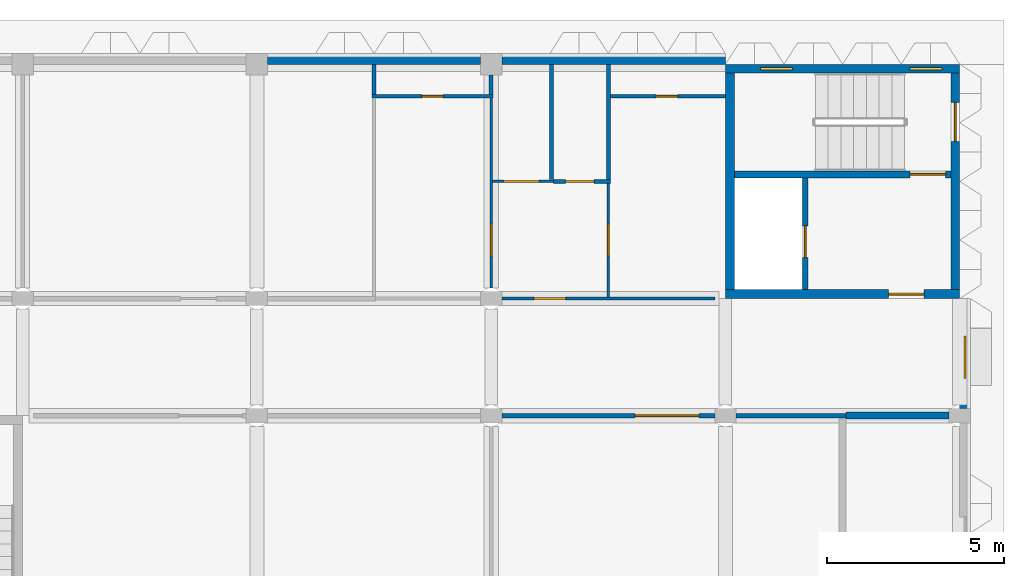
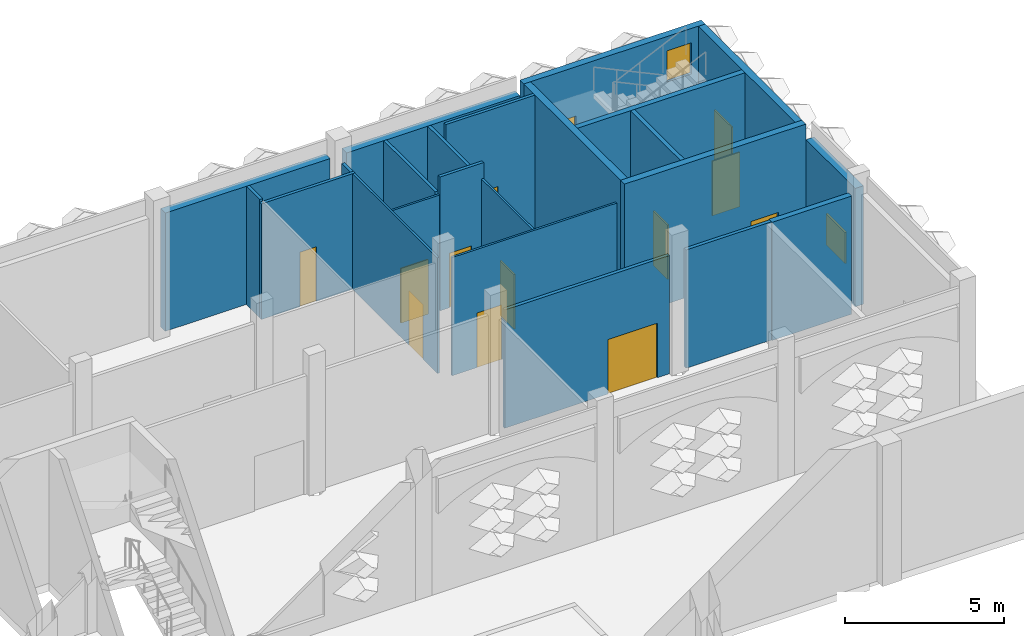
# One storey, part 41 of 85: 23 walls, 12 doors, 3 windows, 15 openings.
"""IFC4 building model written with IfcOpenShell, lengths in metres."""

from ifc_helpers import new_model, si_unit, direction, frame, frame_2d, origin, place, context, subcontext, project, spatial, rectangle, extrude, material, layer, layer_set, type_object, element, fill, save


model = new_model("IFC4")

# Units and contexts
model_context = context("Model", 3, precision=1e-05, world=origin(), true_north=direction((0.0, 1.0)))
body_context = subcontext(model_context, "Body", "Model", "MODEL_VIEW")
ifc_project = project(units=[si_unit("LENGTHUNIT", "METRE"), si_unit("AREAUNIT", "SQUARE_METRE"), si_unit("VOLUMEUNIT", "CUBIC_METRE"), si_unit("PLANEANGLEUNIT", "RADIAN"), si_unit("MASSUNIT", "GRAM", prefix="KILO")], contexts=[model_context])

# Site, building, storey
site_placement = place(None, origin())
site = spatial("IfcSite", under=ifc_project, at=site_placement, CompositionType="ELEMENT")
building_placement = place(site_placement, origin())
building = spatial("IfcBuilding", under=site, at=building_placement, Name="Lantern Court Research Institute", CompositionType="ELEMENT")
storey_placement = place(building_placement, origin())
storey = spatial("IfcBuildingStorey", under=building, at=storey_placement, Name="L00", CompositionType="ELEMENT", Elevation=0.0)

# Wall, opening, window
ifc_material_1 = material(Name="Concrete C30/37", Category="concrete")
ifc_layer_1 = layer(ifc_material_1, 0.300048828125)
ifc_layer_set_1 = layer_set([ifc_layer_1], Name="Concrete C30/37")
wall_type_1 = type_object("IfcWallType", Name="Insulated concrete infill wall 300", PredefinedType="STANDARD", material=ifc_layer_set_1)
wall_1_placement = place(storey_placement, frame((79.35009765625, 92.39990234375, 0.0), z_axis=(0.0, 0.0, 1.0), x_axis=(0.0, -1.0, 0.0)))
wall_1 = element("IfcWall", 1, at=wall_1_placement, inside=storey, type_object=wall_type_1, Name="Exterior wall EW050", PredefinedType="STANDARD", context=body_context, shape_type="SweptSolid", body=[
    extrude(rectangle(XDim=3.099853515625, YDim=0.300048828125, at=frame_2d((1.5498046875, 0.0))), origin(), (0.0, 0.0, 1.0), 4.550048828125),
])
opening_1_placement = place(wall_1_placement, frame((1.050048828125, 0.0, 1.10009765625)))
opening_1 = element("IfcOpeningElement", 2, at=opening_1_placement, cuts=wall_1, Name="Opening W05", PredefinedType="OPENING", context=body_context, shape_type="SweptSolid", body=[
    extrude(rectangle(XDim=1.199951171875, YDim=1.199951171875, at=frame_2d((0.60009765625, 0.60009765625))), frame((0.0, 0.159912109375, 0.0), z_axis=(0.0, -1.0, 0.0), x_axis=(1.0, 0.0, 0.0)), (0.0, 0.0, 1.0), 0.320068359375),
])
ifc_material_2 = material(Name="Aluminium frame with laminated low-emissivity glazing", Category="aluminium")
window_type_1 = type_object("IfcWindowType", Name="Corridor end window 1200 x 1200", PartitioningType="SINGLE_PANEL", PredefinedType="WINDOW", material=ifc_material_2)
window_1_placement = place(opening_1_placement, origin())
window_1 = element("IfcWindow", 3, at=window_1_placement, inside=storey, type_object=window_type_1, Name="Window W05 V6E L00", OverallHeight=1.199951171875, OverallWidth=1.199951171875, PartitioningType="SINGLE_PANEL", PredefinedType="WINDOW", context=body_context, shape_type="SweptSolid", body=[
    extrude(rectangle(XDim=1.199951171875, YDim=1.199951171875, at=frame_2d((0.60009765625, 0.60009765625))), frame((0.0, 0.030029296875, 0.0), z_axis=(0.0, -1.0, 0.0), x_axis=(1.0, 0.0, 0.0)), (0.0, 0.0, 1.0), 0.06005859375),
])
fill(opening_1, window_1)

# Walls
ifc_material_3 = material(Name="Fire-rated blockwork", Category="masonry")
ifc_layer_2 = layer(ifc_material_3, 0.199951171875)
ifc_layer_set_2 = layer_set([ifc_layer_2], Name="Fire-rated blockwork")
wall_type_2 = type_object("IfcWallType", Name="Party wall 200 mm EI 120", PredefinedType="PARTITIONING", material=ifc_layer_set_2)
wall_2_placement = place(storey_placement, frame((76.0, 89.10009765625, 0.0), z_axis=(0.0, 0.0, 1.0), x_axis=(1.0, 0.0, 0.0)))
element("IfcWall", 4, at=wall_2_placement, inside=storey, type_object=wall_type_2, Name="Wall V6-L00-011", PredefinedType="PARTITIONING", context=body_context, shape_type="SweptSolid", body=[
    extrude(rectangle(XDim=2.89990234375, YDim=0.199951171875, at=frame_2d((1.449951171875, 0.0))), origin(), (0.0, 0.0, 1.0), 4.550048828125),
])
ifc_material_4 = material(Name="Concrete C30/37", Category="concrete")
ifc_layer_3 = layer(ifc_material_4, 0.300048828125)
ifc_layer_set_3 = layer_set([ifc_layer_3], Name="Concrete C30/37")
wall_type_3 = type_object("IfcWallType", Name="Party wall 300 concrete EI 120", PredefinedType="STANDARD", material=ifc_layer_set_3)
wall_3_placement = place(storey_placement, frame((59.699951171875, 99.14990234375, 0.0), z_axis=(0.0, 0.0, 1.0), x_axis=(1.0, 0.0, 0.0)))
element("IfcWall", 5, at=wall_3_placement, inside=storey, type_object=wall_type_3, Name="Exterior wall EW059", PredefinedType="STANDARD", context=body_context, shape_type="SweptSolid", body=[
    extrude(rectangle(XDim=6.0, YDim=0.300048828125, at=frame_2d((3.0, 0.0))), origin(), (0.0, 0.0, 1.0), 4.550048828125),
])
wall_4_placement = place(storey_placement, frame((66.300048828125, 99.14990234375, 0.0), z_axis=(0.0, 0.0, 1.0), x_axis=(1.0, 0.0, 0.0)))
element("IfcWall", 6, at=wall_4_placement, inside=storey, type_object=wall_type_3, Name="Exterior wall EW060", PredefinedType="STANDARD", context=body_context, shape_type="SweptSolid", body=[
    extrude(rectangle(XDim=6.300048828125, YDim=0.300048828125, at=frame_2d((3.14990234375, 0.0))), origin(), (0.0, 0.0, 1.0), 4.550048828125),
])

# Wall, opening, door
ifc_material_5 = material(Name="Gypsum board on metal studs")
ifc_layer_4 = layer(ifc_material_5, 0.125)
ifc_layer_set_4 = layer_set([ifc_layer_4], Name="Gypsum board on metal studs")
wall_type_4 = type_object("IfcWallType", Name="Protected corridor partition 125 mm EI 30", PredefinedType="PARTITIONING", material=ifc_layer_set_4)
wall_5_placement = place(storey_placement, frame((66.300048828125, 89.10009765625, 0.0), z_axis=(0.0, 0.0, 1.0), x_axis=(1.0, 0.0, 0.0)))
wall_5 = element("IfcWall", 7, at=wall_5_placement, inside=storey, type_object=wall_type_4, Name="Wall V6-L00-009", PredefinedType="PARTITIONING", context=body_context, shape_type="SweptSolid", body=[
    extrude(rectangle(XDim=6.0, YDim=0.125, at=frame_2d((3.0, 0.0))), origin(), (0.0, 0.0, 1.0), 4.550048828125),
])
opening_2_placement = place(wall_5_placement, frame((3.75, 0.0, 0.0)))
opening_2 = element("IfcOpeningElement", 8, at=opening_2_placement, cuts=wall_5, Name="Opening D6006", PredefinedType="OPENING", context=body_context, shape_type="SweptSolid", body=[
    extrude(rectangle(XDim=1.800048828125, YDim=2.10009765625, at=frame_2d((0.89990234375, 1.050048828125))), frame((0.0, 0.072509765625, 0.0), z_axis=(0.0, -1.0, 0.0), x_axis=(1.0, 0.0, 0.0)), (0.0, 0.0, 1.0), 0.14501953125),
])
ifc_material_6 = material(Name="Timber veneered door leaf", Category="wood")
door_type_1 = type_object("IfcDoorType", Name="Door 1800 x 2100 reception pair FD30S", OperationType="DOUBLE_DOOR_SINGLE_SWING", PredefinedType="DOOR", material=ifc_material_6)
door_1_placement = place(opening_2_placement, origin())
door_1 = element("IfcDoor", 9, at=door_1_placement, inside=storey, type_object=door_type_1, Name="Door D6006", OperationType="DOUBLE_DOOR_SINGLE_SWING", OverallHeight=2.10009765625, OverallWidth=1.800048828125, PredefinedType="DOOR", context=body_context, shape_type="SweptSolid", body=[
    extrude(rectangle(XDim=1.800048828125, YDim=2.10009765625, at=frame_2d((0.89990234375, 1.050048828125))), frame((0.0, 0.02490234375, 0.0), z_axis=(0.0, -1.0, 0.0), x_axis=(1.0, 0.0, 0.0)), (0.0, 0.0, 1.0), 0.050048828125),
])
fill(opening_2, door_1)

# Wall
wall_6_placement = place(storey_placement, frame((72.89990234375, 89.10009765625, 0.0), z_axis=(0.0, 0.0, 1.0), x_axis=(1.0, 0.0, 0.0)))
element("IfcWall", 10, at=wall_6_placement, inside=storey, type_object=wall_type_4, Name="Wall V6-L00-010", PredefinedType="PARTITIONING", context=body_context, shape_type="SweptSolid", body=[
    extrude(rectangle(XDim=3.10009765625, YDim=0.125, at=frame_2d((1.550048828125, 0.0))), origin(), (0.0, 0.0, 1.0), 4.550048828125),
])

# Wall, opening, door
ifc_material_7 = material(Name="Concrete C40/50", Category="concrete")
ifc_layer_5 = layer(ifc_material_7, 0.25)
ifc_layer_set_5 = layer_set([ifc_layer_5], Name="Concrete C40/50")
wall_type_5 = type_object("IfcWallType", Name="RC core wall 250", PredefinedType="SHEAR", material=ifc_layer_set_5)
wall_7_placement = place(storey_placement, frame((72.60009765625, 92.52490234375, 0.0), z_axis=(0.0, 0.0, 1.0), x_axis=(1.0, 0.0, 0.0)))
wall_7 = element("IfcWall", 11, at=wall_7_placement, inside=storey, type_object=wall_type_5, Name="South wall of core WC-E", PredefinedType="SHEAR", context=body_context, shape_type="SweptSolid", body=[
    extrude(rectangle(XDim=6.599853515625, YDim=0.25, at=frame_2d((3.2998046875, 0.0))), origin(), (0.0, 0.0, 1.0), 5.14990234375),
])
opening_3_placement = place(wall_7_placement, frame((4.60009765625, 0.0, 0.0)))
opening_3 = element("IfcOpeningElement", 12, at=opening_3_placement, cuts=wall_7, Name="Opening D7258", PredefinedType="OPENING", context=body_context, shape_type="SweptSolid", body=[
    extrude(rectangle(XDim=1.0, YDim=2.10009765625, at=frame_2d((0.5, 1.050048828125))), frame((0.0, 0.135009765625, 0.0), z_axis=(0.0, -1.0, 0.0), x_axis=(1.0, 0.0, 0.0)), (0.0, 0.0, 1.0), 0.27001953125),
])
ifc_material_8 = material(Name="Steel fire door leaf with smoke seals", Category="steel")
door_type_2 = type_object("IfcDoorType", Name="Door 1000 x 2100 fire rated FD60S", OperationType="NOTDEFINED", PredefinedType="DOOR", material=ifc_material_8)
door_2_placement = place(opening_3_placement, origin())
door_2 = element("IfcDoor", 13, at=door_2_placement, inside=storey, type_object=door_type_2, Name="Lobby door", OperationType="SINGLE_SWING_LEFT", OverallHeight=2.10009765625, OverallWidth=1.0, PredefinedType="DOOR", context=body_context, shape_type="SweptSolid", body=[
    extrude(rectangle(XDim=1.0, YDim=2.10009765625, at=frame_2d((0.5, 1.050048828125))), frame((0.0, 0.02490234375, 0.0), z_axis=(0.0, -1.0, 0.0), x_axis=(1.0, 0.0, 0.0)), (0.0, 0.0, 1.0), 0.050048828125),
])
fill(opening_3, door_2)

# Wall
wall_8_placement = place(storey_placement, frame((72.72509765625, 92.64990234375, 0.0), z_axis=(0.0, 0.0, 1.0), x_axis=(0.0, 1.0, 0.0)))
element("IfcWall", 14, at=wall_8_placement, inside=storey, type_object=wall_type_5, Name="West wall of core WC-E", PredefinedType="SHEAR", context=body_context, shape_type="SweptSolid", body=[
    extrude(rectangle(XDim=6.10009765625, YDim=0.25, at=frame_2d((3.050048828125, 0.0))), origin(), (0.0, 0.0, 1.0), 5.14990234375),
])

# Wall, openings, windows
ifc_material_9 = material(Name="Concrete C40/50", Category="concrete")
ifc_layer_6 = layer(ifc_material_9, 0.25)
ifc_layer_set_6 = layer_set([ifc_layer_6], Name="Concrete C40/50")
wall_type_6 = type_object("IfcWallType", Name="RC core wall 250 facade", PredefinedType="SHEAR", material=ifc_layer_set_6)
wall_9_placement = place(storey_placement, frame((72.60009765625, 98.875, 0.0), z_axis=(0.0, 0.0, 1.0), x_axis=(1.0, 0.0, 0.0)))
wall_9 = element("IfcWall", 15, at=wall_9_placement, inside=storey, type_object=wall_type_6, Name="North wall of core WC-E", PredefinedType="SHEAR", context=body_context, shape_type="SweptSolid", body=[
    extrude(rectangle(XDim=6.599853515625, YDim=0.25, at=frame_2d((3.2998046875, 0.0))), origin(), (0.0, 0.0, 1.0), 5.14990234375),
])
opening_4_placement = place(wall_9_placement, frame((0.989990234375, 0.0, 2.050048828125)))
opening_4 = element("IfcOpeningElement", 16, at=opening_4_placement, cuts=wall_9, Name="Opening W6", PredefinedType="OPENING", context=body_context, shape_type="SweptSolid", body=[
    extrude(rectangle(XDim=0.89990234375, YDim=1.199951171875, at=frame_2d((0.449951171875, 0.60009765625))), frame((0.0, 0.135009765625, 0.0), z_axis=(0.0, -1.0, 0.0), x_axis=(1.0, 0.0, 0.0)), (0.0, 0.0, 1.0), 0.27001953125),
])
opening_5_placement = place(wall_9_placement, frame((5.199951171875, 0.0, 3.39990234375)))
opening_5 = element("IfcOpeningElement", 17, at=opening_5_placement, cuts=wall_9, Name="Opening W6", PredefinedType="OPENING", context=body_context, shape_type="SweptSolid", body=[
    extrude(rectangle(XDim=0.89990234375, YDim=1.199951171875, at=frame_2d((0.449951171875, 0.60009765625))), frame((0.0, 0.135009765625, 0.0), z_axis=(0.0, -1.0, 0.0), x_axis=(1.0, 0.0, 0.0)), (0.0, 0.0, 1.0), 0.27001953125),
])
ifc_material_10 = material(Name="Aluminium alloy 6063-T6 frame with laminated glass", Category="aluminium")
window_type_2 = type_object("IfcWindowType", Name="Stair window 900 x 1200", PartitioningType="SINGLE_PANEL", PredefinedType="WINDOW", material=ifc_material_10)
window_2_placement = place(opening_4_placement, origin())
window_2 = element("IfcWindow", 18, at=window_2_placement, inside=storey, type_object=window_type_2, Name="Stair window", OverallHeight=1.199951171875, OverallWidth=0.89990234375, PartitioningType="SINGLE_PANEL", PredefinedType="WINDOW", context=body_context, shape_type="SweptSolid", body=[
    extrude(rectangle(XDim=0.89990234375, YDim=1.199951171875, at=frame_2d((0.449951171875, 0.60009765625))), frame((0.0, 0.030029296875, 0.0), z_axis=(0.0, -1.0, 0.0), x_axis=(1.0, 0.0, 0.0)), (0.0, 0.0, 1.0), 0.06005859375),
])
fill(opening_4, window_2)
window_3_placement = place(opening_5_placement, origin())
window_3 = element("IfcWindow", 19, at=window_3_placement, inside=storey, type_object=window_type_2, Name="Stair window", OverallHeight=1.199951171875, OverallWidth=0.89990234375, PartitioningType="SINGLE_PANEL", PredefinedType="WINDOW", context=body_context, shape_type="SweptSolid", body=[
    extrude(rectangle(XDim=0.89990234375, YDim=1.199951171875, at=frame_2d((0.449951171875, 0.60009765625))), frame((0.0, 0.030029296875, 0.0), z_axis=(0.0, -1.0, 0.0), x_axis=(1.0, 0.0, 0.0)), (0.0, 0.0, 1.0), 0.06005859375),
])
fill(opening_5, window_3)

# Wall, opening, door
wall_10_placement = place(storey_placement, frame((79.074951171875, 92.64990234375, 0.0), z_axis=(0.0, 0.0, 1.0), x_axis=(0.0, 1.0, 0.0)))
wall_10 = element("IfcWall", 20, at=wall_10_placement, inside=storey, type_object=wall_type_6, Name="East wall of core WC-E", PredefinedType="SHEAR", context=body_context, shape_type="SweptSolid", body=[
    extrude(rectangle(XDim=6.10009765625, YDim=0.25, at=frame_2d((3.050048828125, 0.0))), origin(), (0.0, 0.0, 1.0), 5.14990234375),
])
opening_6_placement = place(wall_10_placement, frame((4.175048828125, 0.0, 0.0)))
opening_6 = element("IfcOpeningElement", 21, at=opening_6_placement, cuts=wall_10, Name="Opening D7260", PredefinedType="OPENING", context=body_context, shape_type="SweptSolid", body=[
    extrude(rectangle(XDim=1.10009765625, YDim=2.39990234375, at=frame_2d((0.550048828125, 1.199951171875))), frame((0.0, 0.135009765625, 0.0), z_axis=(0.0, -1.0, 0.0), x_axis=(1.0, 0.0, 0.0)), (0.0, 0.0, 1.0), 0.27001953125),
])
ifc_material_11 = material(Name="Steel fire door leaf with smoke seals", Category="steel")
door_type_3 = type_object("IfcDoorType", Name="Door 1100 x 2400 fire rated FD60S", OperationType="NOTDEFINED", PredefinedType="DOOR", material=ifc_material_11)
door_3_placement = place(opening_6_placement, origin())
door_3 = element("IfcDoor", 22, at=door_3_placement, inside=storey, type_object=door_type_3, Name="Stair exit door", OperationType="SINGLE_SWING_LEFT", OverallHeight=2.39990234375, OverallWidth=1.10009765625, PredefinedType="DOOR", context=body_context, shape_type="SweptSolid", body=[
    extrude(rectangle(XDim=1.10009765625, YDim=2.39990234375, at=frame_2d((0.550048828125, 1.199951171875))), frame((0.0, 0.02490234375, 0.0), z_axis=(0.0, -1.0, 0.0), x_axis=(1.0, 0.0, 0.0)), (0.0, 0.0, 1.0), 0.050048828125),
])
fill(opening_6, door_3)

ifc_material_12 = material(Name="Concrete C40/50", Category="concrete")
ifc_layer_7 = layer(ifc_material_12, 0.14990234375)
ifc_layer_set_7 = layer_set([ifc_layer_7], Name="Concrete C40/50")
wall_type_7 = type_object("IfcWallType", Name="RC shaft wall 150", PredefinedType="SHEAR", material=ifc_layer_set_7)
wall_11_placement = place(storey_placement, frame((74.85009765625, 92.64990234375, 0.0), z_axis=(0.0, 0.0, 1.0), x_axis=(0.0, 1.0, 0.0)))
wall_11 = element("IfcWall", 23, at=wall_11_placement, inside=storey, type_object=wall_type_7, Name="Riser wall of core WC-E", PredefinedType="SHEAR", context=body_context, shape_type="SweptSolid", body=[
    extrude(rectangle(XDim=3.150146484375, YDim=0.14990234375, at=frame_2d((1.5751953125, 0.0))), origin(), (0.0, 0.0, 1.0), 5.14990234375),
])
opening_7_placement = place(wall_11_placement, frame((0.89990234375, 0.0, 0.0)))
opening_7 = element("IfcOpeningElement", 24, at=opening_7_placement, cuts=wall_11, Name="Opening D7257", PredefinedType="OPENING", context=body_context, shape_type="SweptSolid", body=[
    extrude(rectangle(XDim=0.89990234375, YDim=2.10009765625, at=frame_2d((0.449951171875, 1.050048828125))), frame((0.0, 0.0849609375, 0.0), z_axis=(0.0, -1.0, 0.0), x_axis=(1.0, 0.0, 0.0)), (0.0, 0.0, 1.0), 0.169921875),
])
ifc_material_13 = material(Name="Steel fire door leaf", Category="steel")
door_type_4 = type_object("IfcDoorType", Name="Door 900 x 2100 fire rated FD60", OperationType="NOTDEFINED", PredefinedType="DOOR", material=ifc_material_13)
door_4_placement = place(opening_7_placement, origin())
door_4 = element("IfcDoor", 25, at=door_4_placement, inside=storey, type_object=door_type_4, Name="Riser door", OperationType="SINGLE_SWING_LEFT", OverallHeight=2.10009765625, OverallWidth=0.89990234375, PredefinedType="DOOR", context=body_context, shape_type="SweptSolid", body=[
    extrude(rectangle(XDim=0.89990234375, YDim=2.10009765625, at=frame_2d((0.449951171875, 1.050048828125))), frame((0.0, 0.02490234375, 0.0), z_axis=(0.0, -1.0, 0.0), x_axis=(1.0, 0.0, 0.0)), (0.0, 0.0, 1.0), 0.050048828125),
])
fill(opening_7, door_4)

ifc_material_14 = material(Name="Concrete C40/50", Category="concrete")
ifc_layer_8 = layer(ifc_material_14, 0.199951171875)
ifc_layer_set_8 = layer_set([ifc_layer_8], Name="Concrete C40/50")
wall_type_8 = type_object("IfcWallType", Name="RC shaft wall 200", PredefinedType="SHEAR", material=ifc_layer_set_8)
wall_12_placement = place(storey_placement, frame((72.85009765625, 95.89990234375, 0.0), z_axis=(0.0, 0.0, 1.0), x_axis=(1.0, 0.0, 0.0)))
wall_12 = element("IfcWall", 26, at=wall_12_placement, inside=storey, type_object=wall_type_8, Name="Stair wall of core WC-E", PredefinedType="SHEAR", context=body_context, shape_type="SweptSolid", body=[
    extrude(rectangle(XDim=6.099853515625, YDim=0.199951171875, at=frame_2d((3.0498046875, 0.0))), origin(), (0.0, 0.0, 1.0), 5.14990234375),
])
opening_8_placement = place(wall_12_placement, frame((4.949951171875, 0.0, 0.0)))
opening_8 = element("IfcOpeningElement", 27, at=opening_8_placement, cuts=wall_12, Name="Opening D7259", PredefinedType="OPENING", context=body_context, shape_type="SweptSolid", body=[
    extrude(rectangle(XDim=1.0, YDim=2.10009765625, at=frame_2d((0.5, 1.050048828125))), frame((0.0, 0.10986328125, 0.0), z_axis=(0.0, -1.0, 0.0), x_axis=(1.0, 0.0, 0.0)), (0.0, 0.0, 1.0), 0.219970703125),
])
door_5_placement = place(opening_8_placement, origin())
door_5 = element("IfcDoor", 28, at=door_5_placement, inside=storey, type_object=door_type_2, Name="Stair door", OperationType="SINGLE_SWING_LEFT", OverallHeight=2.10009765625, OverallWidth=1.0, PredefinedType="DOOR", context=body_context, shape_type="SweptSolid", body=[
    extrude(rectangle(XDim=1.0, YDim=2.10009765625, at=frame_2d((0.5, 1.050048828125))), frame((0.0, 0.02490234375, 0.0), z_axis=(0.0, -1.0, 0.0), x_axis=(1.0, 0.0, 0.0)), (0.0, 0.0, 1.0), 0.050048828125),
])
fill(opening_8, door_5)

ifc_material_15 = material(Name="Fire-rated gypsum board on metal studs")
ifc_layer_9 = layer(ifc_material_15, 0.110107421875)
ifc_layer_set_9 = layer_set([ifc_layer_9], Name="Fire-rated gypsum board on metal studs")
wall_type_9 = type_object("IfcWallType", Name="Riser wall 110 mm EI 60", PredefinedType="PARTITIONING", material=ifc_layer_set_9)
wall_13_placement = place(storey_placement, frame((67.7548828125, 95.699951171875, 0.0), z_axis=(0.0, 0.0, 1.0), x_axis=(1.0, 0.0, 0.0)))
wall_13 = element("IfcWall", 29, at=wall_13_placement, inside=storey, type_object=wall_type_9, Name="Wall V6-L00-029", PredefinedType="PARTITIONING", context=body_context, shape_type="SweptSolid", body=[
    extrude(rectangle(XDim=1.60009765625, YDim=0.110107421875, at=frame_2d((0.800048828125, 0.0))), origin(), (0.0, 0.0, 1.0), 5.14990234375),
])
opening_9_placement = place(wall_13_placement, frame((0.344970703125, 0.0, 0.0)))
opening_9 = element("IfcOpeningElement", 30, at=opening_9_placement, cuts=wall_13, Name="Opening D6016", PredefinedType="OPENING", context=body_context, shape_type="SweptSolid", body=[
    extrude(rectangle(XDim=0.800048828125, YDim=2.10009765625, at=frame_2d((0.39990234375, 1.050048828125))), frame((0.0, 0.06494140625, 0.0), z_axis=(0.0, -1.0, 0.0), x_axis=(1.0, 0.0, 0.0)), (0.0, 0.0, 1.0), 0.130126953125),
])
ifc_material_16 = material(Name="Coated metal door leaf")
door_type_5 = type_object("IfcDoorType", Name="Door 800 x 2100 cleaners store FD60", OperationType="NOTDEFINED", PredefinedType="DOOR", material=ifc_material_16)
door_6_placement = place(opening_9_placement, origin())
door_6 = element("IfcDoor", 31, at=door_6_placement, inside=storey, type_object=door_type_5, Name="Door D6016", OperationType="SINGLE_SWING_LEFT", OverallHeight=2.10009765625, OverallWidth=0.800048828125, PredefinedType="DOOR", context=body_context, shape_type="SweptSolid", body=[
    extrude(rectangle(XDim=0.800048828125, YDim=2.10009765625, at=frame_2d((0.39990234375, 1.050048828125))), frame((0.0, 0.02490234375, 0.0), z_axis=(0.0, -1.0, 0.0), x_axis=(1.0, 0.0, 0.0)), (0.0, 0.0, 1.0), 0.050048828125),
])
fill(opening_9, door_6)

wall_14_placement = place(storey_placement, frame((66.054931640625, 98.10009765625, 0.0), z_axis=(0.0, 0.0, 1.0), x_axis=(-1.0, 0.0, 0.0)))
wall_14 = element("IfcWall", 32, at=wall_14_placement, inside=storey, type_object=wall_type_9, Name="Wall V6-L00-032", PredefinedType="PARTITIONING", context=body_context, shape_type="SweptSolid", body=[
    extrude(rectangle(XDim=3.409912109375, YDim=0.110107421875, at=frame_2d((1.705078125, 0.0))), origin(), (0.0, 0.0, 1.0), 4.449951171875),
])
opening_10_placement = place(wall_14_placement, frame((1.405029296875, 0.0, 0.0)))
opening_10 = element("IfcOpeningElement", 33, at=opening_10_placement, cuts=wall_14, Name="Opening D6019", PredefinedType="OPENING", context=body_context, shape_type="SweptSolid", body=[
    extrude(rectangle(XDim=0.60009765625, YDim=2.10009765625, at=frame_2d((0.300048828125, 1.050048828125))), frame((0.0, 0.06494140625, 0.0), z_axis=(0.0, -1.0, 0.0), x_axis=(1.0, 0.0, 0.0)), (0.0, 0.0, 1.0), 0.130126953125),
])
ifc_material_17 = material(Name="Coated metal door leaf")
door_type_6 = type_object("IfcDoorType", Name="Door 600 x 2100 riser FD60", OperationType="NOTDEFINED", PredefinedType="DOOR", material=ifc_material_17)
door_7_placement = place(opening_10_placement, origin())
door_7 = element("IfcDoor", 34, at=door_7_placement, inside=storey, type_object=door_type_6, Name="Door D6019", OperationType="SINGLE_SWING_RIGHT", OverallHeight=2.10009765625, OverallWidth=0.60009765625, PredefinedType="DOOR", context=body_context, shape_type="SweptSolid", body=[
    extrude(rectangle(XDim=0.60009765625, YDim=2.10009765625, at=frame_2d((0.300048828125, 1.050048828125))), frame((0.0, 0.02490234375, 0.0), z_axis=(0.0, -1.0, 0.0), x_axis=(1.0, 0.0, 0.0)), (0.0, 0.0, 1.0), 0.050048828125),
])
fill(opening_10, door_7)

wall_15_placement = place(storey_placement, frame((72.60009765625, 98.10009765625, 0.0), z_axis=(0.0, 0.0, 1.0), x_axis=(-1.0, 0.0, 0.0)))
wall_15 = element("IfcWall", 35, at=wall_15_placement, inside=storey, type_object=wall_type_9, Name="Wall V6-L00-033", PredefinedType="PARTITIONING", context=body_context, shape_type="SweptSolid", body=[
    extrude(rectangle(XDim=3.2451171875, YDim=0.110107421875, at=frame_2d((1.62255859375, 0.0))), origin(), (0.0, 0.0, 1.0), 5.14990234375),
])
opening_11_placement = place(wall_15_placement, frame((1.35009765625, 0.0, 0.0)))
opening_11 = element("IfcOpeningElement", 36, at=opening_11_placement, cuts=wall_15, Name="Opening D6020", PredefinedType="OPENING", context=body_context, shape_type="SweptSolid", body=[
    extrude(rectangle(XDim=0.60009765625, YDim=2.10009765625, at=frame_2d((0.300048828125, 1.050048828125))), frame((0.0, 0.06494140625, 0.0), z_axis=(0.0, -1.0, 0.0), x_axis=(1.0, 0.0, 0.0)), (0.0, 0.0, 1.0), 0.130126953125),
])
door_8_placement = place(opening_11_placement, origin())
door_8 = element("IfcDoor", 37, at=door_8_placement, inside=storey, type_object=door_type_6, Name="Door D6020", OperationType="SINGLE_SWING_LEFT", OverallHeight=2.10009765625, OverallWidth=0.60009765625, PredefinedType="DOOR", context=body_context, shape_type="SweptSolid", body=[
    extrude(rectangle(XDim=0.60009765625, YDim=2.10009765625, at=frame_2d((0.300048828125, 1.050048828125))), frame((0.0, 0.02490234375, 0.0), z_axis=(0.0, -1.0, 0.0), x_axis=(1.0, 0.0, 0.0)), (0.0, 0.0, 1.0), 0.050048828125),
])
fill(opening_11, door_8)

# Walls
wall_16_placement = place(storey_placement, frame((62.699951171875, 98.155029296875, 0.0), z_axis=(0.0, 0.0, 1.0), x_axis=(0.0, 1.0, 0.0)))
element("IfcWall", 38, at=wall_16_placement, inside=storey, type_object=wall_type_9, Name="Wall V6-L00-048", PredefinedType="PARTITIONING", context=body_context, shape_type="SweptSolid", body=[
    extrude(rectangle(XDim=0.844970703125, YDim=0.110107421875, at=frame_2d((0.42236328125, 0.0))), origin(), (0.0, 0.0, 1.0), 4.550048828125),
])
wall_17_placement = place(storey_placement, frame((66.0, 98.155029296875, 0.0), z_axis=(0.0, 0.0, 1.0), x_axis=(0.0, 1.0, 0.0)))
element("IfcWall", 39, at=wall_17_placement, inside=storey, type_object=wall_type_9, Name="Wall V6-L00-051", PredefinedType="PARTITIONING", context=body_context, shape_type="SweptSolid", body=[
    extrude(rectangle(XDim=0.544921875, YDim=0.110107421875, at=frame_2d((0.2724609375, 0.0))), origin(), (0.0, 0.0, 1.0), 4.449951171875),
])
for number, where, z_axis, x_axis, name in (
    (40, (67.699951171875, 95.7548828125, 0.0), (0.0, 0.0, 1.0), (0.0, 1.0, 0.0), "Wall V6-L00-052"),
    (41, (69.300048828125, 95.7548828125, 0.0), (0.0, 0.0, 1.0), (0.0, 1.0, 0.0), "Wall V6-L00-054"),
):
    element("IfcWall", number, at=place(storey_placement, frame(where, z_axis=z_axis, x_axis=x_axis)), inside=storey, type_object=wall_type_9, Name=name, PredefinedType="PARTITIONING", context=body_context, shape_type="SweptSolid", body=[
        extrude(rectangle(XDim=3.2451171875, YDim=0.110107421875, at=frame_2d((1.62255859375, 0.0))), origin(), (0.0, 0.0, 1.0), 4.550048828125),
    ])

# Wall, opening, door
ifc_material_18 = material(Name="Gypsum board on metal studs")
ifc_layer_10 = layer(ifc_material_18, 0.074951171875)
ifc_layer_set_10 = layer_set([ifc_layer_10], Name="Gypsum board on metal studs")
wall_type_10 = type_object("IfcWallType", Name="Service partition 75 mm", PredefinedType="PARTITIONING", material=ifc_layer_set_10)
wall_18_placement = place(storey_placement, frame((67.7548828125, 95.699951171875, 0.0), z_axis=(0.0, 0.0, 1.0), x_axis=(-1.0, 0.0, 0.0)))
wall_18 = element("IfcWall", 42, at=wall_18_placement, inside=storey, type_object=wall_type_10, Name="Wall V6-L00-028", PredefinedType="PARTITIONING", context=body_context, shape_type="SweptSolid", body=[
    extrude(rectangle(XDim=1.7177734375, YDim=0.074951171875, at=frame_2d((0.85888671875, 0.0))), origin(), (0.0, 0.0, 1.0), 4.449951171875),
])
opening_12_placement = place(wall_18_placement, frame((0.405029296875, 0.0, 0.0)))
opening_12 = element("IfcOpeningElement", 43, at=opening_12_placement, cuts=wall_18, Name="Opening D6015", PredefinedType="OPENING", context=body_context, shape_type="SweptSolid", body=[
    extrude(rectangle(XDim=1.0, YDim=2.10009765625, at=frame_2d((0.5, 1.050048828125))), frame((0.0, 0.04736328125, 0.0), z_axis=(0.0, -1.0, 0.0), x_axis=(1.0, 0.0, 0.0)), (0.0, 0.0, 1.0), 0.094970703125),
])
ifc_material_19 = material(Name="Timber veneered door leaf", Category="wood")
door_type_7 = type_object("IfcDoorType", Name="Door 1000 x 2100 accessible WC", OperationType="NOTDEFINED", PredefinedType="DOOR", material=ifc_material_19)
door_9_placement = place(opening_12_placement, origin())
door_9 = element("IfcDoor", 44, at=door_9_placement, inside=storey, type_object=door_type_7, Name="Door D6015", OperationType="SINGLE_SWING_RIGHT", OverallHeight=2.10009765625, OverallWidth=1.0, PredefinedType="DOOR", context=body_context, shape_type="SweptSolid", body=[
    extrude(rectangle(XDim=1.0, YDim=2.10009765625, at=frame_2d((0.5, 1.050048828125))), frame((0.0, 0.02490234375, 0.0), z_axis=(0.0, -1.0, 0.0), x_axis=(1.0, 0.0, 0.0)), (0.0, 0.0, 1.0), 0.050048828125),
])
fill(opening_12, door_9)

wall_19_placement = place(storey_placement, frame((66.0, 92.699951171875, 0.0), z_axis=(0.0, 0.0, 1.0), x_axis=(0.0, 1.0, 0.0)))
wall_19 = element("IfcWall", 45, at=wall_19_placement, inside=storey, type_object=wall_type_10, Name="Wall V6-L00-050", PredefinedType="PARTITIONING", context=body_context, shape_type="SweptSolid", body=[
    extrude(rectangle(XDim=5.344970703125, YDim=0.074951171875, at=frame_2d((2.67236328125, 0.0))), origin(), (0.0, 0.0, 1.0), 4.449951171875),
])
opening_13_placement = place(wall_19_placement, frame((0.89990234375, 0.0, 0.0)))
opening_13 = element("IfcOpeningElement", 46, at=opening_13_placement, cuts=wall_19, Name="Opening D6023", PredefinedType="OPENING", context=body_context, shape_type="SweptSolid", body=[
    extrude(rectangle(XDim=0.89990234375, YDim=2.10009765625, at=frame_2d((0.449951171875, 1.050048828125))), frame((0.0, 0.04736328125, 0.0), z_axis=(0.0, -1.0, 0.0), x_axis=(1.0, 0.0, 0.0)), (0.0, 0.0, 1.0), 0.094970703125),
])
ifc_material_20 = material(Name="Timber veneered door leaf", Category="wood")
door_type_8 = type_object("IfcDoorType", Name="Door 900 x 2100 WC", OperationType="NOTDEFINED", PredefinedType="DOOR", material=ifc_material_20)
door_10_placement = place(opening_13_placement, origin())
door_10 = element("IfcDoor", 47, at=door_10_placement, inside=storey, type_object=door_type_8, Name="Door D6023", OperationType="SINGLE_SWING_LEFT", OverallHeight=2.10009765625, OverallWidth=0.89990234375, PredefinedType="DOOR", context=body_context, shape_type="SweptSolid", body=[
    extrude(rectangle(XDim=0.89990234375, YDim=2.10009765625, at=frame_2d((0.449951171875, 1.050048828125))), frame((0.0, 0.02490234375, 0.0), z_axis=(0.0, -1.0, 0.0), x_axis=(1.0, 0.0, 0.0)), (0.0, 0.0, 1.0), 0.050048828125),
])
fill(opening_13, door_10)

wall_20_placement = place(storey_placement, frame((69.300048828125, 95.64501953125, 0.0), z_axis=(0.0, 0.0, 1.0), x_axis=(0.0, -1.0, 0.0)))
wall_20 = element("IfcWall", 48, at=wall_20_placement, inside=storey, type_object=wall_type_10, Name="Wall V6-L00-053", PredefinedType="PARTITIONING", context=body_context, shape_type="SweptSolid", body=[
    extrude(rectangle(XDim=3.20703125, YDim=0.074951171875, at=frame_2d((1.603515625, 0.0))), origin(), (0.0, 0.0, 1.0), 4.550048828125),
])
opening_14_placement = place(wall_20_placement, frame((1.14501953125, 0.0, 0.0)))
opening_14 = element("IfcOpeningElement", 49, at=opening_14_placement, cuts=wall_20, Name="Opening D6024", PredefinedType="OPENING", context=body_context, shape_type="SweptSolid", body=[
    extrude(rectangle(XDim=0.89990234375, YDim=2.10009765625, at=frame_2d((0.449951171875, 1.050048828125))), frame((0.0, 0.04736328125, 0.0), z_axis=(0.0, -1.0, 0.0), x_axis=(1.0, 0.0, 0.0)), (0.0, 0.0, 1.0), 0.094970703125),
])
door_11_placement = place(opening_14_placement, origin())
door_11 = element("IfcDoor", 50, at=door_11_placement, inside=storey, type_object=door_type_8, Name="Door D6024", OperationType="SINGLE_SWING_RIGHT", OverallHeight=2.10009765625, OverallWidth=0.89990234375, PredefinedType="DOOR", context=body_context, shape_type="SweptSolid", body=[
    extrude(rectangle(XDim=0.89990234375, YDim=2.10009765625, at=frame_2d((0.449951171875, 1.050048828125))), frame((0.0, 0.02490234375, 0.0), z_axis=(0.0, -1.0, 0.0), x_axis=(1.0, 0.0, 0.0)), (0.0, 0.0, 1.0), 0.050048828125),
])
fill(opening_14, door_11)

ifc_material_21 = material(Name="Gypsum board on metal studs")
ifc_layer_11 = layer(ifc_material_21, 0.074951171875)
ifc_layer_set_11 = layer_set([ifc_layer_11], Name="Gypsum board on metal studs")
wall_type_11 = type_object("IfcWallType", Name="Service partition 75 mm EI 30", PredefinedType="PARTITIONING", material=ifc_layer_set_11)
wall_21_placement = place(storey_placement, frame((66.300048828125, 92.39990234375, 0.0), z_axis=(0.0, 0.0, 1.0), x_axis=(1.0, 0.0, 0.0)))
wall_21 = element("IfcWall", 51, at=wall_21_placement, inside=storey, type_object=wall_type_11, Name="Wall V6-L00-025", PredefinedType="PARTITIONING", context=body_context, shape_type="SweptSolid", body=[
    extrude(rectangle(XDim=6.0, YDim=0.074951171875, at=frame_2d((3.0, 0.0))), origin(), (0.0, 0.0, 1.0), 4.550048828125),
])
opening_15_placement = place(wall_21_placement, frame((0.89990234375, 0.0, 0.0)))
opening_15 = element("IfcOpeningElement", 52, at=opening_15_placement, cuts=wall_21, Name="Opening D6012", PredefinedType="OPENING", context=body_context, shape_type="SweptSolid", body=[
    extrude(rectangle(XDim=0.89990234375, YDim=2.10009765625, at=frame_2d((0.449951171875, 1.050048828125))), frame((0.0, 0.04736328125, 0.0), z_axis=(0.0, -1.0, 0.0), x_axis=(1.0, 0.0, 0.0)), (0.0, 0.0, 1.0), 0.094970703125),
])
ifc_material_22 = material(Name="Timber veneered door leaf", Category="wood")
door_type_9 = type_object("IfcDoorType", Name="Door 900 x 2100 WC FD30S", OperationType="NOTDEFINED", PredefinedType="DOOR", material=ifc_material_22)
door_12_placement = place(opening_15_placement, origin())
door_12 = element("IfcDoor", 53, at=door_12_placement, inside=storey, type_object=door_type_9, Name="Door D6012", OperationType="SINGLE_SWING_RIGHT", OverallHeight=2.10009765625, OverallWidth=0.89990234375, PredefinedType="DOOR", context=body_context, shape_type="SweptSolid", body=[
    extrude(rectangle(XDim=0.89990234375, YDim=2.10009765625, at=frame_2d((0.449951171875, 1.050048828125))), frame((0.0, 0.02490234375, 0.0), z_axis=(0.0, -1.0, 0.0), x_axis=(1.0, 0.0, 0.0)), (0.0, 0.0, 1.0), 0.050048828125),
])
fill(opening_15, door_12)

save(model, "model.ifc")
